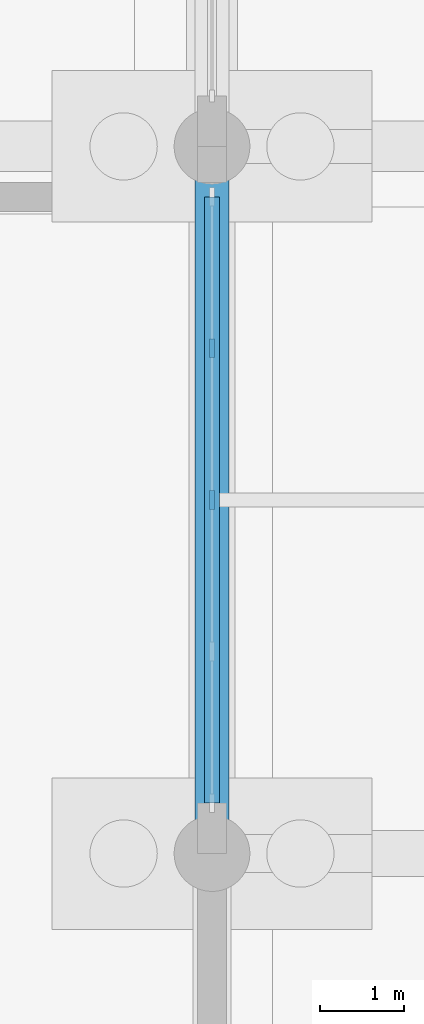
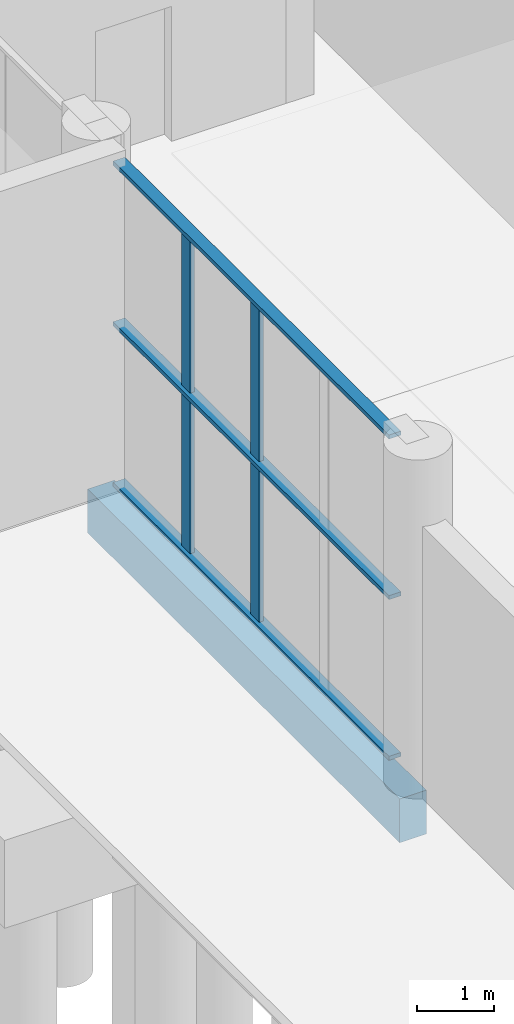
# One storey, part 44 of 82: 5 members, 1 beam, 1 element without a shape of its own.
"""IFC4 building model written with IfcOpenShell, lengths in metres."""

from ifc_helpers import new_model, si_unit, derived_unit, direction, frame, origin, origin_2d, place, context, subcontext, project, spatial, rectangle, extrude, material, material_profile, profile_set, type_object, element, aggregate, save


model = new_model("IFC4")

# Units and contexts
model_context = context("Model", 3, precision=1e-05, world=origin(), true_north=direction((0.0, 1.0)))
body_context = subcontext(model_context, "Body", "Model", "MODEL_VIEW")
ifc_project = project(units=[si_unit("LENGTHUNIT", "METRE"), si_unit("AREAUNIT", "SQUARE_METRE"), si_unit("VOLUMEUNIT", "CUBIC_METRE"), si_unit("PLANEANGLEUNIT", "RADIAN"), si_unit("MASSUNIT", "GRAM", prefix="KILO"), derived_unit("THERMALTRANSMITTANCEUNIT", [(si_unit("POWERUNIT", "WATT"), 1), (si_unit("LENGTHUNIT", "METRE"), -2), (si_unit("THERMODYNAMICTEMPERATUREUNIT", "KELVIN"), -1)])], contexts=[model_context])

# Site, building, storey
site_placement = place(None, origin())
site = spatial("IfcSite", under=ifc_project, at=site_placement, CompositionType="ELEMENT")
building_placement = place(site_placement, origin())
building = spatial("IfcBuilding", under=site, at=building_placement, Name="Barrovel Congress Hotel", CompositionType="ELEMENT")
storey_placement = place(building_placement, origin())
storey = spatial("IfcBuildingStorey", under=building, at=storey_placement, Name="L00", CompositionType="ELEMENT", Elevation=0.0)

# Beam
ifc_material_1 = material(Name="Concrete C40", Category="concrete")
ifc_material_profile_1 = material_profile(ifc_material_1, rectangle(XDim=0.39990234375, YDim=0.699951171875, at=origin_2d()), Name="RC400x700")
ifc_profile_set_1 = profile_set([ifc_material_profile_1], Name="Concrete C40")
beam_type = type_object("IfcBeamType", Name="BM-RC400x700", PredefinedType="BEAM", material=ifc_profile_set_1)
beam_placement = place(storey_placement, frame((126.0, 88.326904296875, -0.669921875), z_axis=(0.0, 1.0, 0.0), x_axis=(-1.0, 0.0, 0.0)))
element("IfcBeam", 1, at=beam_placement, inside=storey, type_object=beam_type, Name="BMY:L00:126.0:88.2-96.6", PredefinedType="BEAM", context=body_context, shape_type="SweptSolid", body=[
    extrude(rectangle(XDim=0.39990234375, YDim=0.699951171875, at=origin_2d()), origin(), (0.0, 0.0, 1.0), 8.14599609375),
])

# Curtain wall, members
ifc_material_2 = material(Name="Anodised Aluminium Alloy 6063-T6", Category="aluminium")
curtain_wall_type = type_object("IfcCurtainWallType", Name="CW-ST-7200x3600", PredefinedType="USERDEFINED", material=ifc_material_2)
curtain_wall_placement = place(storey_placement, origin())
curtain_wall = element("IfcCurtainWall", 2, at=curtain_wall_placement, inside=storey, type_object=curtain_wall_type, Name="CW:L00:CE:88.2", ObjectType="STICK CURTAIN WALL", PredefinedType="USERDEFINED")
ifc_material_profile_2 = material_profile(ifc_material_2, rectangle(XDim=0.06494140625, YDim=0.219970703125, at=origin_2d()), Name="AL-M65x220")
ifc_profile_set_2 = profile_set([ifc_material_profile_2], Name="Anodised Aluminium Alloy 6063-T6")
member_type_1 = type_object("IfcMemberType", Name="CWM-AL-M65x220", PredefinedType="MULLION", material=ifc_profile_set_2)
member_1_placement = place(storey_placement, frame((126.0, 94.199951171875, 0.0), z_axis=(0.0, 0.0, 1.0), x_axis=(1.0, 0.0, 0.0)))
member_1 = element("IfcMember", 3, at=member_1_placement, type_object=member_type_1, Name="CW:L00:CE:88.2:M1", PredefinedType="MULLION", context=body_context, shape_type="SweptSolid", body=[
    extrude(rectangle(XDim=0.06494140625, YDim=0.219970703125, at=origin_2d()), origin(), (0.0, 0.0, 1.0), 5.1201171875),
])
member_2_placement = place(storey_placement, frame((126.0, 92.39990234375, 0.0), z_axis=(0.0, 0.0, 1.0), x_axis=(1.0, 0.0, 0.0)))
member_2 = element("IfcMember", 4, at=member_2_placement, type_object=member_type_1, Name="CW:L00:CE:88.2:M2", PredefinedType="MULLION", context=body_context, shape_type="SweptSolid", body=[
    extrude(rectangle(XDim=0.06494140625, YDim=0.219970703125, at=origin_2d()), origin(), (0.0, 0.0, 1.0), 5.1201171875),
])
ifc_material_profile_3 = material_profile(ifc_material_2, rectangle(XDim=0.179931640625, YDim=0.06494140625, at=origin_2d()), Name="AL-T65x180")
ifc_profile_set_3 = profile_set([ifc_material_profile_3], Name="Anodised Aluminium Alloy 6063-T6")
member_type_2 = type_object("IfcMemberType", Name="CWT-AL-T65x180", PredefinedType="USERDEFINED", material=ifc_profile_set_3)
member_3_placement = place(storey_placement, frame((126.0, 96.0, 0.0), z_axis=(0.0, -1.0, 0.0), x_axis=(1.0, 0.0, 0.0)))
member_3 = element("IfcMember", 5, at=member_3_placement, type_object=member_type_2, Name="CW:L00:CE:88.2:T0", ObjectType="TRANSOM", PredefinedType="USERDEFINED", context=body_context, shape_type="SweptSolid", body=[
    extrude(rectangle(XDim=0.179931640625, YDim=0.06494140625, at=origin_2d()), origin(), (0.0, 0.0, 1.0), 7.199951171875),
])
member_4_placement = place(storey_placement, frame((126.0, 96.0, 2.56005859375), z_axis=(0.0, -1.0, 0.0), x_axis=(1.0, 0.0, 0.0)))
member_4 = element("IfcMember", 6, at=member_4_placement, type_object=member_type_2, Name="CW:L00:CE:88.2:T1", ObjectType="TRANSOM", PredefinedType="USERDEFINED", context=body_context, shape_type="SweptSolid", body=[
    extrude(rectangle(XDim=0.179931640625, YDim=0.06494140625, at=origin_2d()), origin(), (0.0, 0.0, 1.0), 7.199951171875),
])
member_5_placement = place(storey_placement, frame((126.0, 96.0, 5.1201171875), z_axis=(0.0, -1.0, 0.0), x_axis=(1.0, 0.0, 0.0)))
member_5 = element("IfcMember", 7, at=member_5_placement, type_object=member_type_2, Name="CW:L00:CE:88.2:T2", ObjectType="TRANSOM", PredefinedType="USERDEFINED", context=body_context, shape_type="SweptSolid", body=[
    extrude(rectangle(XDim=0.179931640625, YDim=0.06494140625, at=origin_2d()), origin(), (0.0, 0.0, 1.0), 7.199951171875),
])
aggregate(curtain_wall, [member_1, member_2, member_3, member_4, member_5])

save(model, "model.ifc")
